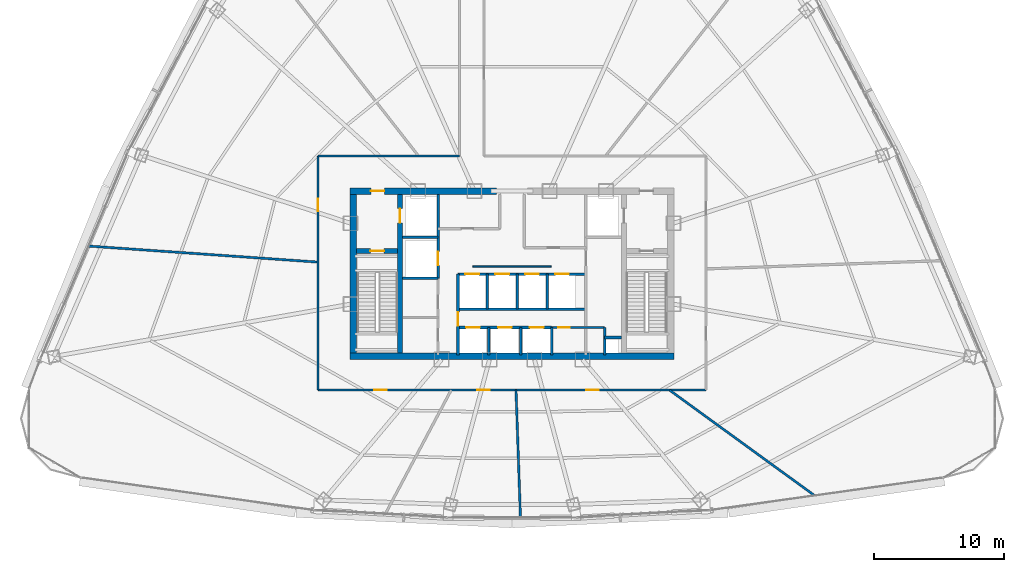
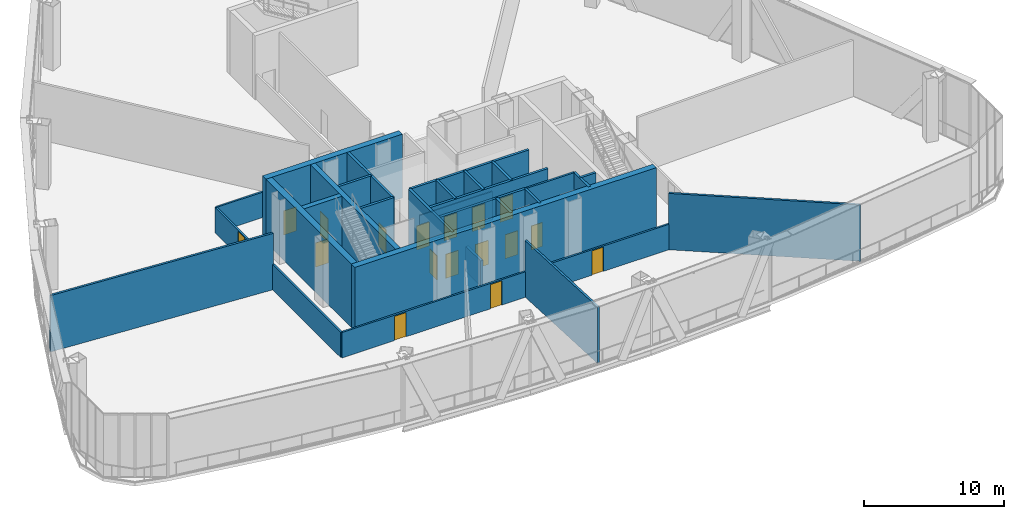
# One storey, part 30 of 38: 28 walls, 17 doors, 17 openings.
"""IFC4 building model written with IfcOpenShell, lengths in metres."""

from ifc_helpers import new_model, si_unit, direction, frame, frame_2d, origin, origin_with_axes, place, context, subcontext, project, spatial, rectangle, extrude, source, transform, mapped, material, layer, layer_set, type_object, element, fill, save


model = new_model("IFC4")

# Units and contexts
model_context = context("Model", 3, precision=1e-05, world=origin(), true_north=direction((0.0, 1.0)))
body_context = subcontext(model_context, "Body", "Model", "MODEL_VIEW")
ifc_project = project(units=[si_unit("LENGTHUNIT", "METRE"), si_unit("AREAUNIT", "SQUARE_METRE"), si_unit("VOLUMEUNIT", "CUBIC_METRE"), si_unit("PLANEANGLEUNIT", "RADIAN"), si_unit("MASSUNIT", "GRAM", prefix="KILO"), si_unit("THERMODYNAMICTEMPERATUREUNIT", "KELVIN"), si_unit("POWERUNIT", "WATT")], contexts=[model_context])

# Site, building, storey
site_placement = place(None, origin())
site = spatial("IfcSite", under=ifc_project, at=site_placement, CompositionType="ELEMENT")
building_placement = place(site_placement, origin())
building = spatial("IfcBuilding", under=site, at=building_placement, Name="Yunzhuo Pagoda Commons", CompositionType="ELEMENT")
storey_placement = place(building_placement, frame((0.0, 0.0, 218.9599609375)))
storey = spatial("IfcBuildingStorey", under=building, at=storey_placement, Name="L55", CompositionType="ELEMENT", Elevation=218.9599609375)

# Wall
ifc_material_1 = material(Name="Concrete C50", Category="concrete")
ifc_layer_1 = layer(ifc_material_1, 0.5)
ifc_layer_set_1 = layer_set([ifc_layer_1], Name="Concrete C50")
wall_type_1 = type_object("IfcWallType", Name="W-C03 Upper Core Shear Wall 500", PredefinedType="SHEAR", material=ifc_layer_set_1)
wall_1_placement = place(storey_placement, frame((35.550048828125, 27.5, 0.0), z_axis=(0.0, 0.0, 1.0), x_axis=(1.0, 0.0, 0.0)))
element("IfcWall", 1, at=wall_1_placement, inside=storey, type_object=wall_type_1, Name="L55 core shear wall S", PredefinedType="SHEAR", context=body_context, shape_type="SweptSolid", body=[
    extrude(rectangle(XDim=24.89990234375, YDim=0.5, at=frame_2d((12.449951171875, 0.0))), origin(), (0.0, 0.0, 1.0), 5.570068359375),
])

# Wall, opening, door
wall_2_placement = place(storey_placement, frame((35.550048828125, 40.199951171875, 0.0), z_axis=(0.0, 0.0, 1.0), x_axis=(1.0, 0.0, 0.0)))
wall_2 = element("IfcWall", 2, at=wall_2_placement, inside=storey, type_object=wall_type_1, Name="L55 core shear wall NW", PredefinedType="SHEAR", context=body_context, shape_type="SweptSolid", body=[
    extrude(rectangle(XDim=11.25, YDim=0.5, at=frame_2d((5.625, 0.0))), origin(), (0.0, 0.0, 1.0), 5.570068359375),
])
opening_1_placement = place(wall_2_placement, frame((1.60009765625, 0.0, 0.0)))
opening_1 = element("IfcOpeningElement", 3, at=opening_1_placement, cuts=wall_2, Name="Opening D-02", PredefinedType="OPENING", context=body_context, shape_type="SweptSolid", body=[
    extrude(rectangle(XDim=1.050048828125, YDim=2.10009765625, at=frame_2d((0.52490234375, 1.050048828125))), frame((0.0, 0.260009765625, 0.0), z_axis=(0.0, -1.0, 0.0), x_axis=(1.0, 0.0, 0.0)), (0.0, 0.0, 1.0), 0.52001953125),
])
ifc_material_2 = material(Name="Galvanized fire-resisting metal leaf")
door_type_1 = type_object("IfcDoorType", Name="D-02 Firefighting Lobby & Refuge Fire Door 1050x2100", OperationType="NOTDEFINED", PredefinedType="DOOR", material=ifc_material_2)
shared_shape_1 = source(origin(), body_context, "Body", "SweptSolid", [
    extrude(rectangle(XDim=1.050048828125, YDim=2.10009765625, at=frame_2d((0.52490234375, 1.050048828125))), frame((0.0, 0.02490234375, 0.0), z_axis=(0.0, -1.0, 0.0), x_axis=(1.0, 0.0, 0.0)), (0.0, 0.0, 1.0), 0.050048828125),
])
door_1_placement = place(opening_1_placement, frame((1.050048828125, 0.0, 0.0), z_axis=(0.0, 0.0, 1.0), x_axis=(-1.0, 0.0, 0.0)))
door_1 = element("IfcDoor", 4, at=door_1_placement, inside=storey, type_object=door_type_1, Name="L55 Firefighting Lobby 1 fire door", OperationType="SINGLE_SWING_LEFT", OverallHeight=2.10009765625, OverallWidth=1.050048828125, PredefinedType="DOOR", context=body_context, shape_type="MappedRepresentation", body=[
    mapped(shared_shape_1, transform((0.0, 0.0, 0.0), scale=1.0)),
])
fill(opening_1, door_1)

# Wall
wall_3_placement = place(storey_placement, frame((35.800048828125, 27.75, 0.0), z_axis=(0.0, 0.0, 1.0), x_axis=(0.0, 1.0, 0.0)))
element("IfcWall", 5, at=wall_3_placement, inside=storey, type_object=wall_type_1, Name="L55 core shear wall W", PredefinedType="SHEAR", context=body_context, shape_type="SweptSolid", body=[
    extrude(rectangle(XDim=12.199951171875, YDim=0.5, at=frame_2d((6.10009765625, 0.0))), origin(), (0.0, 0.0, 1.0), 5.570068359375),
])

# Wall, opening, door
ifc_material_3 = material(Name="Gypsum plasterboard on acoustic stud")
ifc_layer_2 = layer(ifc_material_3, 0.155029296875)
ifc_layer_set_2 = layer_set([ifc_layer_2], Name="Gypsum plasterboard on acoustic stud")
wall_type_2 = type_object("IfcWallType", Name="W-COR2 Mid-Zone Rated Corridor Wall 155", PredefinedType="PARTITIONING", material=ifc_layer_set_2)
wall_4_placement = place(storey_placement, frame((51.050048828125, 29.719970703125, 0.0), z_axis=(0.0, 0.0, 1.0), x_axis=(1.0, 0.0, 0.0)))
wall_4 = element("IfcWall", 6, at=wall_4_placement, inside=storey, type_object=wall_type_2, Name="L55 interior wall IW-L55-CSES", PredefinedType="PARTITIONING", context=body_context, shape_type="SweptSolid", body=[
    extrude(rectangle(XDim=4.070068359375, YDim=0.155029296875, at=frame_2d((2.03515625, 0.0))), origin(), (0.0, 0.0, 1.0), 5.570068359375),
])
opening_2_placement = place(wall_4_placement, frame((0.5, 0.0, 0.0)))
opening_2 = element("IfcOpeningElement", 7, at=opening_2_placement, cuts=wall_4, Name="Opening D-03", PredefinedType="OPENING", context=body_context, shape_type="SweptSolid", body=[
    extrude(rectangle(XDim=0.89990234375, YDim=2.10009765625, at=frame_2d((0.449951171875, 1.050048828125))), frame((0.0, 0.08740234375, 0.0), z_axis=(0.0, -1.0, 0.0), x_axis=(1.0, 0.0, 0.0)), (0.0, 0.0, 1.0), 0.175048828125),
])
door_type_2 = type_object("IfcDoorType", Name="D-03 Core Service Fire Door 900x2100", OperationType="NOTDEFINED", PredefinedType="DOOR", material=ifc_material_2)
shared_shape_2 = source(origin(), body_context, "Body", "SweptSolid", [
    extrude(rectangle(XDim=0.89990234375, YDim=2.10009765625, at=frame_2d((0.449951171875, 1.050048828125))), frame((0.0, 0.02490234375, 0.0), z_axis=(0.0, -1.0, 0.0), x_axis=(1.0, 0.0, 0.0)), (0.0, 0.0, 1.0), 0.050048828125),
])
door_2_placement = place(opening_2_placement, origin_with_axes())
door_2 = element("IfcDoor", 8, at=door_2_placement, inside=storey, type_object=door_type_2, Name="L55 IT closet door", OperationType="SINGLE_SWING_LEFT", OverallHeight=2.10009765625, OverallWidth=0.89990234375, PredefinedType="DOOR", context=body_context, shape_type="MappedRepresentation", body=[
    mapped(shared_shape_2, transform((0.0, 0.0, 0.0), scale=1.0)),
])
fill(opening_2, door_2)

# Wall, openings, doors
wall_5_placement = place(storey_placement, frame((62.89990234375, 24.89990234375, 0.0), z_axis=(0.0, 0.0, 1.0), x_axis=(-1.0, 0.0, 0.0)))
wall_5 = element("IfcWall", 9, at=wall_5_placement, inside=storey, type_object=wall_type_2, Name="L55 interior wall IW-L55-SCW04", PredefinedType="PARTITIONING", context=body_context, shape_type="SweptSolid", body=[
    extrude(rectangle(XDim=29.7998046875, YDim=0.155029296875, at=frame_2d((14.89990234375, 0.0))), origin(), (0.0, 0.0, 1.0), 2.219970703125),
])
opening_3_placement = place(wall_5_placement, frame((24.514404296875, 0.0, 0.0)))
opening_3 = element("IfcOpeningElement", 10, at=opening_3_placement, cuts=wall_5, Name="Opening D-07", PredefinedType="OPENING", context=body_context, shape_type="SweptSolid", body=[
    extrude(rectangle(XDim=0.9599609375, YDim=2.1201171875, at=frame_2d((0.47998046875, 1.06005859375))), frame((0.0, 0.08740234375, 0.0), z_axis=(0.0, -1.0, 0.0), x_axis=(1.0, 0.0, 0.0)), (0.0, 0.0, 1.0), 0.175048828125),
])
opening_4_placement = place(wall_5_placement, frame((16.61083984375, 0.0, 0.0)))
opening_4 = element("IfcOpeningElement", 11, at=opening_4_placement, cuts=wall_5, Name="Opening D-07", PredefinedType="OPENING", context=body_context, shape_type="SweptSolid", body=[
    extrude(rectangle(XDim=0.9599609375, YDim=2.1201171875, at=frame_2d((0.47998046875, 1.06005859375))), frame((0.0, 0.08740234375, 0.0), z_axis=(0.0, -1.0, 0.0), x_axis=(1.0, 0.0, 0.0)), (0.0, 0.0, 1.0), 0.175048828125),
])
opening_5_placement = place(wall_5_placement, frame((8.215087890625, 0.0, 0.0)))
opening_5 = element("IfcOpeningElement", 12, at=opening_5_placement, cuts=wall_5, Name="Opening D-07", PredefinedType="OPENING", context=body_context, shape_type="SweptSolid", body=[
    extrude(rectangle(XDim=0.9599609375, YDim=2.1201171875, at=frame_2d((0.47998046875, 1.06005859375))), frame((0.0, 0.08740234375, 0.0), z_axis=(0.0, -1.0, 0.0), x_axis=(1.0, 0.0, 0.0)), (0.0, 0.0, 1.0), 0.175048828125),
])
door_type_3 = type_object("IfcDoorType", Name="D-07 Mid-Zone Suite Entrance Fire Door 960x2120", OperationType="NOTDEFINED", PredefinedType="DOOR", material=ifc_material_2)
shared_shape_3 = source(origin(), body_context, "Body", "SweptSolid", [
    extrude(rectangle(XDim=0.9599609375, YDim=2.1201171875, at=frame_2d((0.47998046875, 1.06005859375))), frame((0.0, 0.02490234375, 0.0), z_axis=(0.0, -1.0, 0.0), x_axis=(1.0, 0.0, 0.0)), (0.0, 0.0, 1.0), 0.050048828125),
])
door_3_placement = place(opening_3_placement, origin_with_axes())
door_3 = element("IfcDoor", 13, at=door_3_placement, inside=storey, type_object=door_type_3, Name="L55 Graduate Study Workroom door", OperationType="SINGLE_SWING_RIGHT", OverallHeight=2.1201171875, OverallWidth=0.9599609375, PredefinedType="DOOR", context=body_context, shape_type="MappedRepresentation", body=[
    mapped(shared_shape_3, transform((0.0, 0.0, 0.0), scale=1.0)),
])
fill(opening_3, door_3)
door_4_placement = place(opening_4_placement, origin_with_axes())
door_4 = element("IfcDoor", 14, at=door_4_placement, inside=storey, type_object=door_type_3, Name="L55 Visiting Scholar Workroom door", OperationType="SINGLE_SWING_LEFT", OverallHeight=2.1201171875, OverallWidth=0.9599609375, PredefinedType="DOOR", context=body_context, shape_type="MappedRepresentation", body=[
    mapped(shared_shape_3, transform((0.0, 0.0, 0.0), scale=1.0)),
])
fill(opening_4, door_4)
door_5_placement = place(opening_5_placement, origin_with_axes())
door_5 = element("IfcDoor", 15, at=door_5_placement, inside=storey, type_object=door_type_3, Name="L55 Quiet Reading Lounge door", OperationType="SINGLE_SWING_RIGHT", OverallHeight=2.1201171875, OverallWidth=0.9599609375, PredefinedType="DOOR", context=body_context, shape_type="MappedRepresentation", body=[
    mapped(shared_shape_3, transform((0.0, 0.0, 0.0), scale=1.0)),
])
fill(opening_5, door_5)

# Wall, opening, door
wall_6_placement = place(storey_placement, frame((33.10009765625, 24.89990234375, 0.0), z_axis=(0.0, 0.0, 1.0), x_axis=(0.0, 1.0, 0.0)))
wall_6 = element("IfcWall", 16, at=wall_6_placement, inside=storey, type_object=wall_type_2, Name="L55 interior wall IW-L55-SCW05", PredefinedType="PARTITIONING", context=body_context, shape_type="SweptSolid", body=[
    extrude(rectangle(XDim=18.0, YDim=0.155029296875, at=frame_2d((9.0, 0.0))), origin(), (0.0, 0.0, 1.0), 2.219970703125),
])
opening_6_placement = place(wall_6_placement, frame((13.74609375, 0.0, 0.0)))
opening_6 = element("IfcOpeningElement", 17, at=opening_6_placement, cuts=wall_6, Name="Opening D-07", PredefinedType="OPENING", context=body_context, shape_type="SweptSolid", body=[
    extrude(rectangle(XDim=0.9599609375, YDim=2.1201171875, at=frame_2d((0.47998046875, 1.06005859375))), frame((0.0, 0.08740234375, 0.0), z_axis=(0.0, -1.0, 0.0), x_axis=(1.0, 0.0, 0.0)), (0.0, 0.0, 1.0), 0.175048828125),
])
door_6_placement = place(opening_6_placement, origin_with_axes())
door_6 = element("IfcDoor", 18, at=door_6_placement, inside=storey, type_object=door_type_3, Name="L55 Shared Communal Kitchen and Pantry door", OperationType="SINGLE_SWING_LEFT", OverallHeight=2.1201171875, OverallWidth=0.9599609375, PredefinedType="DOOR", context=body_context, shape_type="MappedRepresentation", body=[
    mapped(shared_shape_3, transform((0.0, 0.0, 0.0), scale=1.0)),
])
fill(opening_6, door_6)

# Walls
wall_7_placement = place(storey_placement, frame((33.10009765625, 42.89990234375, 0.0), z_axis=(0.0, 0.0, 1.0), x_axis=(1.0, 0.0, 0.0)))
element("IfcWall", 19, at=wall_7_placement, inside=storey, type_object=wall_type_2, Name="L55 interior wall IW-L55-SCW06", PredefinedType="PARTITIONING", context=body_context, shape_type="SweptSolid", body=[
    extrude(rectangle(XDim=10.849853515625, YDim=0.155029296875, at=frame_2d((5.4248046875, 0.0))), origin(), (0.0, 0.0, 1.0), 2.219970703125),
])
ifc_material_4 = material(Name="Anodized aluminium 6063-T6", Category="aluminium")
ifc_layer_3 = layer(ifc_material_4, 0.110107421875)
ifc_layer_set_3 = layer_set([ifc_layer_3], Name="Anodized aluminium 6063-T6")
wall_type_3 = type_object("IfcWallType", Name="W-MOV1 Operable Seminar Partition 110", PredefinedType="MOVABLE", material=ifc_layer_set_3)
wall_8_placement = place(storey_placement, frame((45.0, 34.39990234375, 0.0), z_axis=(0.0, 0.0, 1.0), x_axis=(1.0, 0.0, 0.0)))
element("IfcWall", 20, at=wall_8_placement, inside=storey, type_object=wall_type_3, Name="L55 acoustic movable lobby screen", PredefinedType="MOVABLE", context=body_context, shape_type="SweptSolid", body=[
    extrude(rectangle(XDim=6.0, YDim=0.110107421875, at=frame_2d((3.0, 0.0))), origin(), (0.0, 0.0, 1.0), 2.5),
])
ifc_layer_4 = layer(ifc_material_3, 0.175048828125)
ifc_layer_set_4 = layer_set([ifc_layer_4], Name="Gypsum plasterboard on acoustic stud")
wall_type_4 = type_object("IfcWallType", Name="W-PRT3 Mid-Zone Demising Wall 175", PredefinedType="PARTITIONING", material=ifc_layer_set_4)
wall_9_placement = place(storey_placement, frame((33.10009765625, 34.741943359375, 0.0), z_axis=(0.0, 0.0, 1.0), x_axis=(-0.997564635211, 0.069748108048, 0.0)))
element("IfcWall", 21, at=wall_9_placement, inside=storey, type_object=wall_type_4, Name="L55 interior wall IW-L55-SRAD4", PredefinedType="PARTITIONING", context=body_context, shape_type="SweptSolid", body=[
    extrude(rectangle(XDim=17.72216796875, YDim=0.175048828125, at=frame_2d((8.861083984375, 0.0))), origin(), (0.0, 0.0, 1.0), 4.919921875),
])
wall_10_placement = place(storey_placement, frame((48.307373046875, 24.89990234375, 0.0), z_axis=(0.0, 0.0, 1.0), x_axis=(0.034898652042, -0.999390856515, 0.0)))
element("IfcWall", 22, at=wall_10_placement, inside=storey, type_object=wall_type_4, Name="L55 interior wall IW-L55-SRAD6", PredefinedType="PARTITIONING", context=body_context, shape_type="SweptSolid", body=[
    extrude(rectangle(XDim=9.807861328125, YDim=0.175048828125, at=frame_2d((4.90380859375, 0.0))), origin(), (0.0, 0.0, 1.0), 4.919921875),
])
wall_11_placement = place(storey_placement, frame((60.1123046875, 24.89990234375, 0.0), z_axis=(0.0, 0.0, 1.0), x_axis=(0.809020959596, -0.587779794596, 0.0)))
element("IfcWall", 23, at=wall_11_placement, inside=storey, type_object=wall_type_4, Name="L55 interior wall IW-L55-SRAD7", PredefinedType="PARTITIONING", context=body_context, shape_type="SweptSolid", body=[
    extrude(rectangle(XDim=13.78173828125, YDim=0.175048828125, at=frame_2d((6.890869140625, 0.0))), origin(), (0.0, 0.0, 1.0), 4.919921875),
])

# Wall, opening, door
ifc_material_5 = material(Name="Concrete C60", Category="concrete")
ifc_layer_5 = layer(ifc_material_5, 0.39990234375)
ifc_layer_set_5 = layer_set([ifc_layer_5], Name="Concrete C60")
wall_type_5 = type_object("IfcWallType", Name="W-S01 Internal Core Shear Web 400", PredefinedType="SHEAR", material=ifc_layer_set_5)
wall_12_placement = place(storey_placement, frame((39.39990234375, 27.75, 0.0), z_axis=(0.0, 0.0, 1.0), x_axis=(0.0, 1.0, 0.0)))
wall_12 = element("IfcWall", 24, at=wall_12_placement, inside=storey, type_object=wall_type_5, Name="L55 core shear wall WEBW", PredefinedType="SHEAR", context=body_context, shape_type="SweptSolid", body=[
    extrude(rectangle(XDim=12.199951171875, YDim=0.39990234375, at=frame_2d((6.10009765625, 0.0))), origin(), (0.0, 0.0, 1.0), 5.570068359375),
])
opening_7_placement = place(wall_12_placement, frame((10.0, 0.0, 0.0)))
opening_7 = element("IfcOpeningElement", 25, at=opening_7_placement, cuts=wall_12, Name="Opening LD-01", PredefinedType="OPENING", context=body_context, shape_type="SweptSolid", body=[
    extrude(rectangle(XDim=1.10009765625, YDim=2.10009765625, at=frame_2d((0.550048828125, 1.050048828125))), frame((0.0, 0.2099609375, 0.0), z_axis=(0.0, -1.0, 0.0), x_axis=(1.0, 0.0, 0.0)), (0.0, 0.0, 1.0), 0.419921875),
])
door_type_4 = type_object("IfcDoorType", Name="LD-01 Firefighting Lift Landing Door 1100x2100", OperationType="DOUBLE_DOOR_SLIDING", PredefinedType="DOOR", material=ifc_material_2)
shared_shape_4 = source(origin(), body_context, "Body", "SweptSolid", [
    extrude(rectangle(XDim=1.10009765625, YDim=2.10009765625, at=frame_2d((0.550048828125, 1.050048828125))), frame((0.0, 0.02490234375, 0.0), z_axis=(0.0, -1.0, 0.0), x_axis=(1.0, 0.0, 0.0)), (0.0, 0.0, 1.0), 0.050048828125),
])
door_7_placement = place(opening_7_placement, frame((1.10009765625, 0.0, 0.0), z_axis=(0.0, 0.0, 1.0), x_axis=(-1.0, 0.0, 0.0)))
door_7 = element("IfcDoor", 26, at=door_7_placement, inside=storey, type_object=door_type_4, Name="L55 Firefighting lift FL-1 landing door", OperationType="DOUBLE_DOOR_SLIDING", OverallHeight=2.10009765625, OverallWidth=1.10009765625, PredefinedType="DOOR", context=body_context, shape_type="MappedRepresentation", body=[
    mapped(shared_shape_4, transform((0.0, 0.0, 0.0), scale=1.0)),
])
fill(opening_7, door_7)

wall_13_placement = place(storey_placement, frame((36.050048828125, 35.60009765625, 0.0), z_axis=(0.0, 0.0, 1.0), x_axis=(1.0, 0.0, 0.0)))
wall_13 = element("IfcWall", 27, at=wall_13_placement, inside=storey, type_object=wall_type_5, Name="L55 core shear wall STW", PredefinedType="SHEAR", context=body_context, shape_type="SweptSolid", body=[
    extrude(rectangle(XDim=3.14990234375, YDim=0.39990234375, at=frame_2d((1.574951171875, 0.0))), origin(), (0.0, 0.0, 1.0), 5.570068359375),
])
opening_8_placement = place(wall_13_placement, frame((1.070068359375, 0.0, 0.0)))
opening_8 = element("IfcOpeningElement", 28, at=opening_8_placement, cuts=wall_13, Name="Opening D-01", PredefinedType="OPENING", context=body_context, shape_type="SweptSolid", body=[
    extrude(rectangle(XDim=1.050048828125, YDim=2.10009765625, at=frame_2d((0.52490234375, 1.050048828125))), frame((0.0, 0.2099609375, 0.0), z_axis=(0.0, -1.0, 0.0), x_axis=(1.0, 0.0, 0.0)), (0.0, 0.0, 1.0), 0.419921875),
])
door_type_5 = type_object("IfcDoorType", Name="D-01 Smokeproof Stair Fire Door 1050x2100", OperationType="NOTDEFINED", PredefinedType="DOOR", material=ifc_material_2)
door_8_placement = place(opening_8_placement, frame((1.050048828125, 0.0, 0.0), z_axis=(0.0, 0.0, 1.0), x_axis=(-1.0, 0.0, 0.0)))
door_8 = element("IfcDoor", 29, at=door_8_placement, inside=storey, type_object=door_type_5, Name="L55 Stair ST1 fire door", OperationType="SINGLE_SWING_LEFT", OverallHeight=2.10009765625, OverallWidth=1.050048828125, PredefinedType="DOOR", context=body_context, shape_type="MappedRepresentation", body=[
    mapped(shared_shape_1, transform((0.0, 0.0, 0.0), scale=1.0)),
])
fill(opening_8, door_8)

ifc_material_6 = material(Name="Concrete C40", Category="concrete")
ifc_layer_6 = layer(ifc_material_6, 0.199951171875)
ifc_layer_set_6 = layer_set([ifc_layer_6], Name="Concrete C40")
wall_type_6 = type_object("IfcWallType", Name="W-SHF Shaft & Stair Enclosure Wall 200", PredefinedType="SOLIDWALL", material=ifc_layer_set_6)
wall_14_placement = place(storey_placement, frame((42.320068359375, 33.5, 0.0), z_axis=(0.0, 0.0, 1.0), x_axis=(0.0, 1.0, 0.0)))
wall_14 = element("IfcWall", 30, at=wall_14_placement, inside=storey, type_object=wall_type_6, Name="L55 interior wall IW-L55-FL1E", PredefinedType="SOLIDWALL", context=body_context, shape_type="SweptSolid", body=[
    extrude(rectangle(XDim=6.449951171875, YDim=0.199951171875, at=frame_2d((3.22509765625, 0.0))), origin(), (0.0, 0.0, 1.0), 5.570068359375),
])
opening_9_placement = place(wall_14_placement, frame((1.0, 0.0, 0.0)))
opening_9 = element("IfcOpeningElement", 31, at=opening_9_placement, cuts=wall_14, Name="Opening LD-02", PredefinedType="OPENING", context=body_context, shape_type="SweptSolid", body=[
    extrude(rectangle(XDim=1.050048828125, YDim=2.10009765625, at=frame_2d((0.52490234375, 1.050048828125))), frame((0.0, 0.10986328125, 0.0), z_axis=(0.0, -1.0, 0.0), x_axis=(1.0, 0.0, 0.0)), (0.0, 0.0, 1.0), 0.219970703125),
])
door_type_6 = type_object("IfcDoorType", Name="LD-02 Passenger Lift Landing Door 1050x2100", OperationType="DOUBLE_DOOR_SLIDING", PredefinedType="DOOR", material=ifc_material_2)
door_9_placement = place(opening_9_placement, origin_with_axes())
door_9 = element("IfcDoor", 32, at=door_9_placement, inside=storey, type_object=door_type_6, Name="L55 Service lift SL-1 landing door", OperationType="DOUBLE_DOOR_SLIDING", OverallHeight=2.10009765625, OverallWidth=1.050048828125, PredefinedType="DOOR", context=body_context, shape_type="MappedRepresentation", body=[
    mapped(shared_shape_1, transform((0.0, 0.0, 0.0), scale=1.0)),
])
fill(opening_9, door_9)

# Walls
for number, where, z_axis, x_axis, name in (
    (33, (39.60009765625, 36.64990234375, 0.0), (0.0, 0.0, 1.0), (1.0, 0.0, 0.0), "L55 interior wall IW-L55-FL1S"),
    (34, (39.60009765625, 33.5, 0.0), (0.0, 0.0, 1.0), (1.0, 0.0, 0.0), "L55 interior wall IW-L55-SL1S"),
):
    element("IfcWall", number, at=place(storey_placement, frame(where, z_axis=z_axis, x_axis=x_axis)), inside=storey, type_object=wall_type_6, Name=name, PredefinedType="SOLIDWALL", context=body_context, shape_type="SweptSolid", body=[
        extrude(rectangle(XDim=2.719970703125, YDim=0.199951171875, at=frame_2d((1.35986328125, 0.0))), origin(), (0.0, 0.0, 1.0), 5.570068359375),
    ])

# Wall, openings, doors
wall_15_placement = place(storey_placement, frame((43.85009765625, 33.820068359375, 0.0), z_axis=(0.0, 0.0, 1.0), x_axis=(1.0, 0.0, 0.0)))
wall_15 = element("IfcWall", 35, at=wall_15_placement, inside=storey, type_object=wall_type_6, Name="L55 interior wall IW-L55-MLBS", PredefinedType="SOLIDWALL", context=body_context, shape_type="SweptSolid", body=[
    extrude(rectangle(XDim=9.829833984375, YDim=0.199951171875, at=frame_2d((4.9150390625, 0.0))), origin(), (0.0, 0.0, 1.0), 5.570068359375),
])
opening_10_placement = place(wall_15_placement, frame((0.574951171875, 0.0, 0.0)))
opening_10 = element("IfcOpeningElement", 36, at=opening_10_placement, cuts=wall_15, Name="Opening LD-02", PredefinedType="OPENING", context=body_context, shape_type="SweptSolid", body=[
    extrude(rectangle(XDim=1.050048828125, YDim=2.10009765625, at=frame_2d((0.52490234375, 1.050048828125))), frame((0.0, 0.10986328125, 0.0), z_axis=(0.0, -1.0, 0.0), x_axis=(1.0, 0.0, 0.0)), (0.0, 0.0, 1.0), 0.219970703125),
])
opening_11_placement = place(wall_15_placement, frame((2.875, 0.0, 0.0)))
opening_11 = element("IfcOpeningElement", 37, at=opening_11_placement, cuts=wall_15, Name="Opening LD-02", PredefinedType="OPENING", context=body_context, shape_type="SweptSolid", body=[
    extrude(rectangle(XDim=1.050048828125, YDim=2.10009765625, at=frame_2d((0.52490234375, 1.050048828125))), frame((0.0, 0.10986328125, 0.0), z_axis=(0.0, -1.0, 0.0), x_axis=(1.0, 0.0, 0.0)), (0.0, 0.0, 1.0), 0.219970703125),
])
opening_12_placement = place(wall_15_placement, frame((5.175048828125, 0.0, 0.0)))
opening_12 = element("IfcOpeningElement", 38, at=opening_12_placement, cuts=wall_15, Name="Opening LD-02", PredefinedType="OPENING", context=body_context, shape_type="SweptSolid", body=[
    extrude(rectangle(XDim=1.050048828125, YDim=2.10009765625, at=frame_2d((0.52490234375, 1.050048828125))), frame((0.0, 0.10986328125, 0.0), z_axis=(0.0, -1.0, 0.0), x_axis=(1.0, 0.0, 0.0)), (0.0, 0.0, 1.0), 0.219970703125),
])
opening_13_placement = place(wall_15_placement, frame((7.47509765625, 0.0, 0.0)))
opening_13 = element("IfcOpeningElement", 39, at=opening_13_placement, cuts=wall_15, Name="Opening LD-02", PredefinedType="OPENING", context=body_context, shape_type="SweptSolid", body=[
    extrude(rectangle(XDim=1.050048828125, YDim=2.10009765625, at=frame_2d((0.52490234375, 1.050048828125))), frame((0.0, 0.10986328125, 0.0), z_axis=(0.0, -1.0, 0.0), x_axis=(1.0, 0.0, 0.0)), (0.0, 0.0, 1.0), 0.219970703125),
])
door_10_placement = place(opening_10_placement, origin_with_axes())
door_10 = element("IfcDoor", 40, at=door_10_placement, inside=storey, type_object=door_type_6, Name="L55 Passenger lift PL-M1 landing door", OperationType="DOUBLE_DOOR_SLIDING", OverallHeight=2.10009765625, OverallWidth=1.050048828125, PredefinedType="DOOR", context=body_context, shape_type="MappedRepresentation", body=[
    mapped(shared_shape_1, transform((0.0, 0.0, 0.0), scale=1.0)),
])
fill(opening_10, door_10)
door_11_placement = place(opening_11_placement, origin_with_axes())
door_11 = element("IfcDoor", 41, at=door_11_placement, inside=storey, type_object=door_type_6, Name="L55 Passenger lift PL-M2 landing door", OperationType="DOUBLE_DOOR_SLIDING", OverallHeight=2.10009765625, OverallWidth=1.050048828125, PredefinedType="DOOR", context=body_context, shape_type="MappedRepresentation", body=[
    mapped(shared_shape_1, transform((0.0, 0.0, 0.0), scale=1.0)),
])
fill(opening_11, door_11)
door_12_placement = place(opening_12_placement, origin_with_axes())
door_12 = element("IfcDoor", 42, at=door_12_placement, inside=storey, type_object=door_type_6, Name="L55 Passenger lift PL-M3 landing door", OperationType="DOUBLE_DOOR_SLIDING", OverallHeight=2.10009765625, OverallWidth=1.050048828125, PredefinedType="DOOR", context=body_context, shape_type="MappedRepresentation", body=[
    mapped(shared_shape_1, transform((0.0, 0.0, 0.0), scale=1.0)),
])
fill(opening_12, door_12)
door_13_placement = place(opening_13_placement, origin_with_axes())
door_13 = element("IfcDoor", 43, at=door_13_placement, inside=storey, type_object=door_type_6, Name="L55 Passenger lift PL-M4 landing door", OperationType="DOUBLE_DOOR_SLIDING", OverallHeight=2.10009765625, OverallWidth=1.050048828125, PredefinedType="DOOR", context=body_context, shape_type="MappedRepresentation", body=[
    mapped(shared_shape_1, transform((0.0, 0.0, 0.0), scale=1.0)),
])
fill(opening_13, door_13)

# Wall, opening, door
wall_16_placement = place(storey_placement, frame((43.85009765625, 27.60009765625, 0.0), z_axis=(0.0, 0.0, 1.0), x_axis=(0.0, 1.0, 0.0)))
wall_16 = element("IfcWall", 44, at=wall_16_placement, inside=storey, type_object=wall_type_6, Name="L55 interior wall IW-L55-PLMW", PredefinedType="SOLIDWALL", context=body_context, shape_type="SweptSolid", body=[
    extrude(rectangle(XDim=6.219970703125, YDim=0.199951171875, at=frame_2d((3.10986328125, 0.0))), origin(), (0.0, 0.0, 1.0), 5.570068359375),
])
opening_14_placement = place(wall_16_placement, frame((2.25, 0.0, 0.0)))
opening_14 = element("IfcOpeningElement", 45, at=opening_14_placement, cuts=wall_16, Name="Opening D-02", PredefinedType="OPENING", context=body_context, shape_type="SweptSolid", body=[
    extrude(rectangle(XDim=1.050048828125, YDim=2.10009765625, at=frame_2d((0.52490234375, 1.050048828125))), frame((0.0, 0.10986328125, 0.0), z_axis=(0.0, -1.0, 0.0), x_axis=(1.0, 0.0, 0.0)), (0.0, 0.0, 1.0), 0.219970703125),
])
door_14_placement = place(opening_14_placement, frame((1.050048828125, 0.0, 0.0), z_axis=(0.0, 0.0, 1.0), x_axis=(-1.0, 0.0, 0.0)))
door_14 = element("IfcDoor", 46, at=door_14_placement, inside=storey, type_object=door_type_1, Name="L55 High-bank hall west door", OperationType="SINGLE_SWING_LEFT", OverallHeight=2.10009765625, OverallWidth=1.050048828125, PredefinedType="DOOR", context=body_context, shape_type="MappedRepresentation", body=[
    mapped(shared_shape_1, transform((0.0, 0.0, 0.0), scale=1.0)),
])
fill(opening_14, door_14)

# Walls
for number, where, z_axis, x_axis, name in (
    (47, (46.10009765625, 31.1201171875, 0.0), (0.0, 0.0, 1.0), (0.0, 1.0, 0.0), "L55 interior wall IW-L55-PLMD1"),
    (48, (48.39990234375, 31.1201171875, 0.0), (0.0, 0.0, 1.0), (0.0, 1.0, 0.0), "L55 interior wall IW-L55-PLMD2"),
    (49, (50.699951171875, 31.1201171875, 0.0), (0.0, 0.0, 1.0), (0.0, 1.0, 0.0), "L55 interior wall IW-L55-PLMD3"),
):
    element("IfcWall", number, at=place(storey_placement, frame(where, z_axis=z_axis, x_axis=x_axis)), inside=storey, type_object=wall_type_6, Name=name, PredefinedType="SOLIDWALL", context=body_context, shape_type="SweptSolid", body=[
        extrude(rectangle(XDim=2.699951171875, YDim=0.199951171875, at=frame_2d((1.35009765625, 0.0))), origin(), (0.0, 0.0, 1.0), 5.570068359375),
    ])

# Wall, openings, doors
wall_17_placement = place(storey_placement, frame((43.85009765625, 29.719970703125, 0.0), z_axis=(0.0, 0.0, 1.0), x_axis=(1.0, 0.0, 0.0)))
wall_17 = element("IfcWall", 50, at=wall_17_placement, inside=storey, type_object=wall_type_6, Name="L55 interior wall IW-L55-PLHN", PredefinedType="SOLIDWALL", context=body_context, shape_type="SweptSolid", body=[
    extrude(rectangle(XDim=7.199951171875, YDim=0.199951171875, at=frame_2d((3.60009765625, 0.0))), origin(), (0.0, 0.0, 1.0), 5.570068359375),
])
opening_15_placement = place(wall_17_placement, frame((0.625, 0.0, 0.0)))
opening_15 = element("IfcOpeningElement", 51, at=opening_15_placement, cuts=wall_17, Name="Opening LD-02", PredefinedType="OPENING", context=body_context, shape_type="SweptSolid", body=[
    extrude(rectangle(XDim=1.050048828125, YDim=2.10009765625, at=frame_2d((0.52490234375, 1.050048828125))), frame((0.0, 0.10986328125, 0.0), z_axis=(0.0, -1.0, 0.0), x_axis=(1.0, 0.0, 0.0)), (0.0, 0.0, 1.0), 0.219970703125),
])
opening_16_placement = place(wall_17_placement, frame((3.074951171875, 0.0, 0.0)))
opening_16 = element("IfcOpeningElement", 52, at=opening_16_placement, cuts=wall_17, Name="Opening LD-02", PredefinedType="OPENING", context=body_context, shape_type="SweptSolid", body=[
    extrude(rectangle(XDim=1.050048828125, YDim=2.10009765625, at=frame_2d((0.52490234375, 1.050048828125))), frame((0.0, 0.10986328125, 0.0), z_axis=(0.0, -1.0, 0.0), x_axis=(1.0, 0.0, 0.0)), (0.0, 0.0, 1.0), 0.219970703125),
])
opening_17_placement = place(wall_17_placement, frame((5.52490234375, 0.0, 0.0)))
opening_17 = element("IfcOpeningElement", 53, at=opening_17_placement, cuts=wall_17, Name="Opening LD-02", PredefinedType="OPENING", context=body_context, shape_type="SweptSolid", body=[
    extrude(rectangle(XDim=1.050048828125, YDim=2.10009765625, at=frame_2d((0.52490234375, 1.050048828125))), frame((0.0, 0.10986328125, 0.0), z_axis=(0.0, -1.0, 0.0), x_axis=(1.0, 0.0, 0.0)), (0.0, 0.0, 1.0), 0.219970703125),
])
door_15_placement = place(opening_15_placement, origin_with_axes())
door_15 = element("IfcDoor", 54, at=door_15_placement, inside=storey, type_object=door_type_6, Name="L55 Passenger lift PL-H1 landing door", OperationType="DOUBLE_DOOR_SLIDING", OverallHeight=2.10009765625, OverallWidth=1.050048828125, PredefinedType="DOOR", context=body_context, shape_type="MappedRepresentation", body=[
    mapped(shared_shape_1, transform((0.0, 0.0, 0.0), scale=1.0)),
])
fill(opening_15, door_15)
door_16_placement = place(opening_16_placement, origin_with_axes())
door_16 = element("IfcDoor", 55, at=door_16_placement, inside=storey, type_object=door_type_6, Name="L55 Passenger lift PL-H2 landing door", OperationType="DOUBLE_DOOR_SLIDING", OverallHeight=2.10009765625, OverallWidth=1.050048828125, PredefinedType="DOOR", context=body_context, shape_type="MappedRepresentation", body=[
    mapped(shared_shape_1, transform((0.0, 0.0, 0.0), scale=1.0)),
])
fill(opening_16, door_16)
door_17_placement = place(opening_17_placement, origin_with_axes())
door_17 = element("IfcDoor", 56, at=door_17_placement, inside=storey, type_object=door_type_6, Name="L55 Passenger lift PL-H3 landing door", OperationType="DOUBLE_DOOR_SLIDING", OverallHeight=2.10009765625, OverallWidth=1.050048828125, PredefinedType="DOOR", context=body_context, shape_type="MappedRepresentation", body=[
    mapped(shared_shape_1, transform((0.0, 0.0, 0.0), scale=1.0)),
])
fill(opening_17, door_17)

# Walls
wall_18_placement = place(storey_placement, frame((51.050048828125, 27.60009765625, 0.0), z_axis=(0.0, 0.0, 1.0), x_axis=(0.0, 1.0, 0.0)))
element("IfcWall", 57, at=wall_18_placement, inside=storey, type_object=wall_type_6, Name="L55 interior wall IW-L55-PLHE", PredefinedType="SOLIDWALL", context=body_context, shape_type="SweptSolid", body=[
    extrude(rectangle(XDim=2.119873046875, YDim=0.199951171875, at=frame_2d((1.06005859375, 0.0))), origin(), (0.0, 0.0, 1.0), 5.570068359375),
])
wall_19_placement = place(storey_placement, frame((43.85009765625, 31.1201171875, 0.0), z_axis=(0.0, 0.0, 1.0), x_axis=(1.0, 0.0, 0.0)))
element("IfcWall", 58, at=wall_19_placement, inside=storey, type_object=wall_type_6, Name="L55 interior wall IW-L55-PLMS2", PredefinedType="SOLIDWALL", context=body_context, shape_type="SweptSolid", body=[
    extrude(rectangle(XDim=9.829833984375, YDim=0.199951171875, at=frame_2d((4.9150390625, 0.0))), origin(), (0.0, 0.0, 1.0), 5.570068359375),
])
wall_20_placement = place(storey_placement, frame((46.22509765625, 27.60009765625, 0.0), z_axis=(0.0, 0.0, 1.0), x_axis=(0.0, 1.0, 0.0)))
element("IfcWall", 59, at=wall_20_placement, inside=storey, type_object=wall_type_6, Name="L55 interior wall IW-L55-PLHD1", PredefinedType="SOLIDWALL", context=body_context, shape_type="SweptSolid", body=[
    extrude(rectangle(XDim=2.119873046875, YDim=0.199951171875, at=frame_2d((1.06005859375, 0.0))), origin(), (0.0, 0.0, 1.0), 2.219970703125),
])
for number, where, z_axis, x_axis, name in (
    (60, (48.675048828125, 27.60009765625, 0.0), (0.0, 0.0, 1.0), (0.0, 1.0, 0.0), "L55 interior wall IW-L55-PLHD2"),
    (61, (55.1201171875, 27.60009765625, 0.0), (0.0, 0.0, 1.0), (0.0, 1.0, 0.0), "L55 interior wall IW-L55-RSHFW"),
):
    element("IfcWall", number, at=place(storey_placement, frame(where, z_axis=z_axis, x_axis=x_axis)), inside=storey, type_object=wall_type_6, Name=name, PredefinedType="SOLIDWALL", context=body_context, shape_type="SweptSolid", body=[
        extrude(rectangle(XDim=2.119873046875, YDim=0.199951171875, at=frame_2d((1.06005859375, 0.0))), origin(), (0.0, 0.0, 1.0), 5.570068359375),
    ])
wall_21_placement = place(storey_placement, frame((55.1201171875, 28.949951171875, 0.0), z_axis=(0.0, 0.0, 1.0), x_axis=(1.0, 0.0, 0.0)))
element("IfcWall", 62, at=wall_21_placement, inside=storey, type_object=wall_type_6, Name="L55 interior wall IW-L55-RSHFN", PredefinedType="SOLIDWALL", context=body_context, shape_type="SweptSolid", body=[
    extrude(rectangle(XDim=1.27978515625, YDim=0.199951171875, at=frame_2d((0.639892578125, 0.0))), origin(), (0.0, 0.0, 1.0), 5.570068359375),
])

save(model, "model.ifc")
